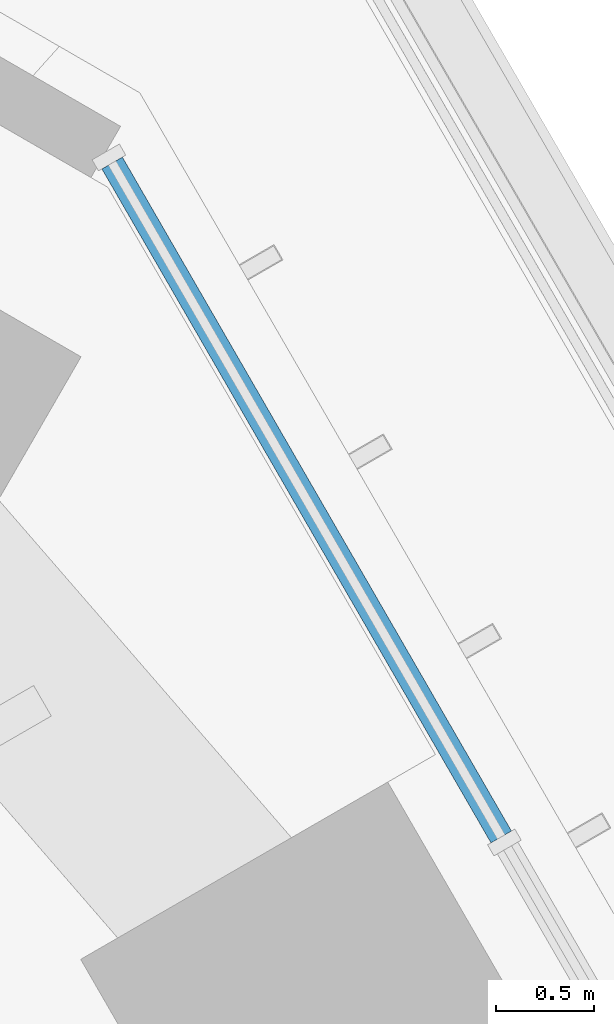
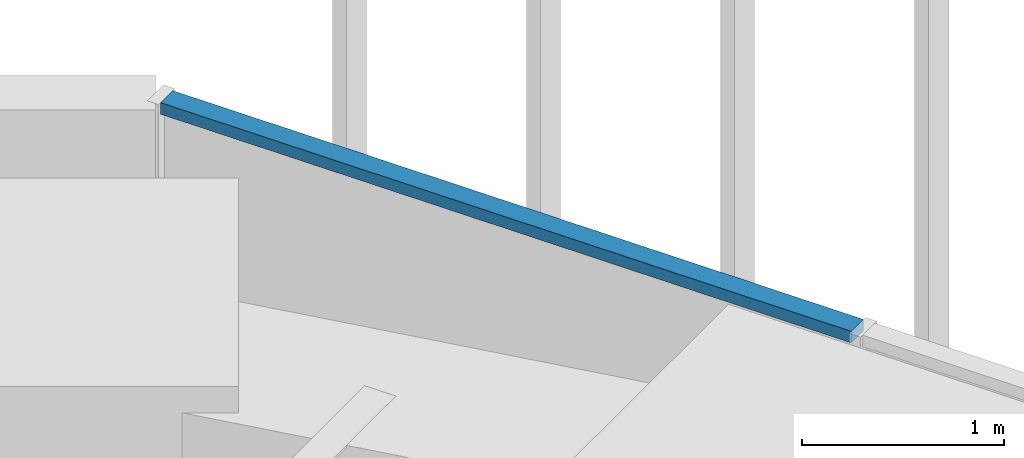
# One storey, part 198 of 228: 1 member, 1 element without a shape of its own.
"""IFC4 building model written with IfcOpenShell, lengths in metres."""

from ifc_helpers import new_model, si_unit, direction, frame, origin, origin_2d, place, context, subcontext, project, spatial, rectangle, extrude, material, material_profile, profile_set, type_object, element, aggregate, save


model = new_model("IFC4")

# Units and contexts
model_context = context("Model", 3, precision=1e-05, world=origin(), true_north=direction((0.0, 1.0)))
body_context = subcontext(model_context, "Body", "Model", "MODEL_VIEW")
ifc_project = project(units=[si_unit("LENGTHUNIT", "METRE"), si_unit("AREAUNIT", "SQUARE_METRE"), si_unit("VOLUMEUNIT", "CUBIC_METRE"), si_unit("PLANEANGLEUNIT", "RADIAN"), si_unit("MASSUNIT", "GRAM", prefix="KILO")], contexts=[model_context])

# Site, building, storey
site_placement = place(None, origin())
site = spatial("IfcSite", under=ifc_project, at=site_placement, CompositionType="ELEMENT")
building_placement = place(site_placement, origin())
building = spatial("IfcBuilding", under=site, at=building_placement, Name="Sandreach Pilgrim Tower", CompositionType="ELEMENT")
storey_placement = place(building_placement, frame((0.0, 0.0, 178.199951171875)))
storey = spatial("IfcBuildingStorey", under=building, at=storey_placement, Name="L44", CompositionType="ELEMENT", Elevation=178.199951171875)

# Curtain wall, member
ifc_material_1 = material(Name="Aluminium framed curtain wall", Category="aluminium")
curtain_wall_type = type_object("IfcCurtainWallType", Name="Upper hotel tower curtain wall", PredefinedType="NOTDEFINED", material=ifc_material_1)
curtain_wall_placement = place(storey_placement, origin())
curtain_wall = element("IfcCurtainWall", 1, at=curtain_wall_placement, inside=storey, type_object=curtain_wall_type, Name="CW-3 L44 NE", PredefinedType="NOTDEFINED")
ifc_material_2 = material(Name="Aluminium extrusion", Category="aluminium")
ifc_material_profile = material_profile(ifc_material_2, rectangle(XDim=0.1201171875, YDim=0.070068359375, at=origin_2d()), Name="CW-3T 120X70")
ifc_profile_set = profile_set([ifc_material_profile], Name="Aluminium extrusion")
member_type = type_object("IfcMemberType", Name="CW-3 transom", PredefinedType="USERDEFINED", material=ifc_profile_set)
member_placement = place(storey_placement, frame((18.955322265625, 20.21875, 4.804931640625), z_axis=(0.499993448556, -0.866029186229, 0.0), x_axis=(0.866029186229, 0.499993448556, 0.0)))
member = element("IfcMember", 2, at=member_placement, type_object=member_type, Name="CW-3 head transom 1", ObjectType="TRANSOM", PredefinedType="USERDEFINED", context=body_context, shape_type="SweptSolid", body=[
    extrude(rectangle(XDim=0.1201171875, YDim=0.070068359375, at=origin_2d()), origin(), (0.0, 0.0, 1.0), 3.951171875),
])
aggregate(curtain_wall, [member])

save(model, "model.ifc")
